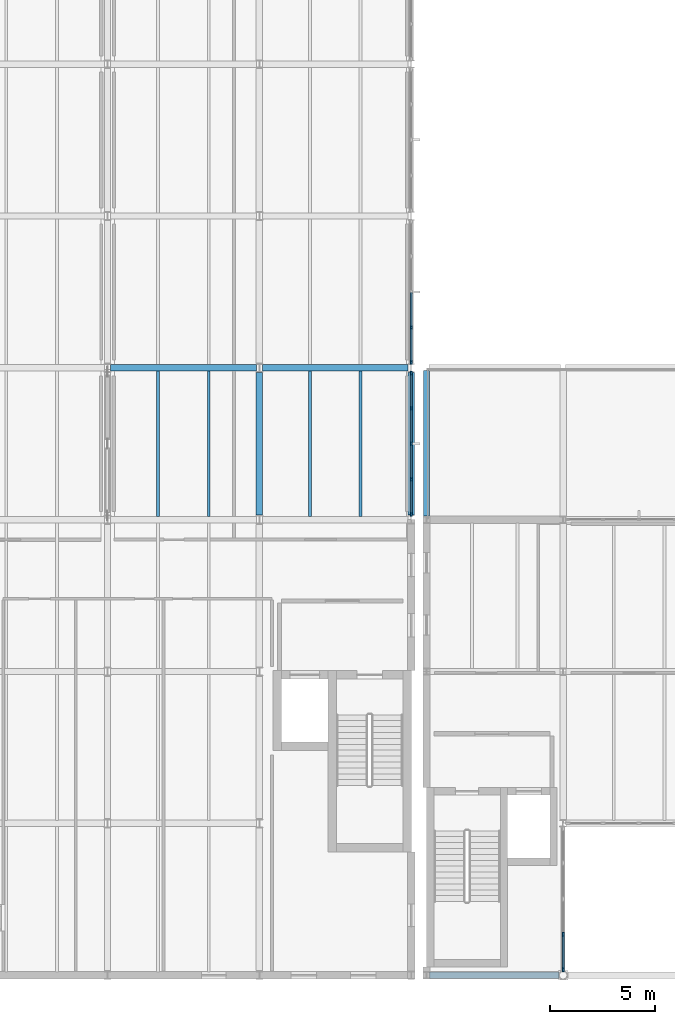
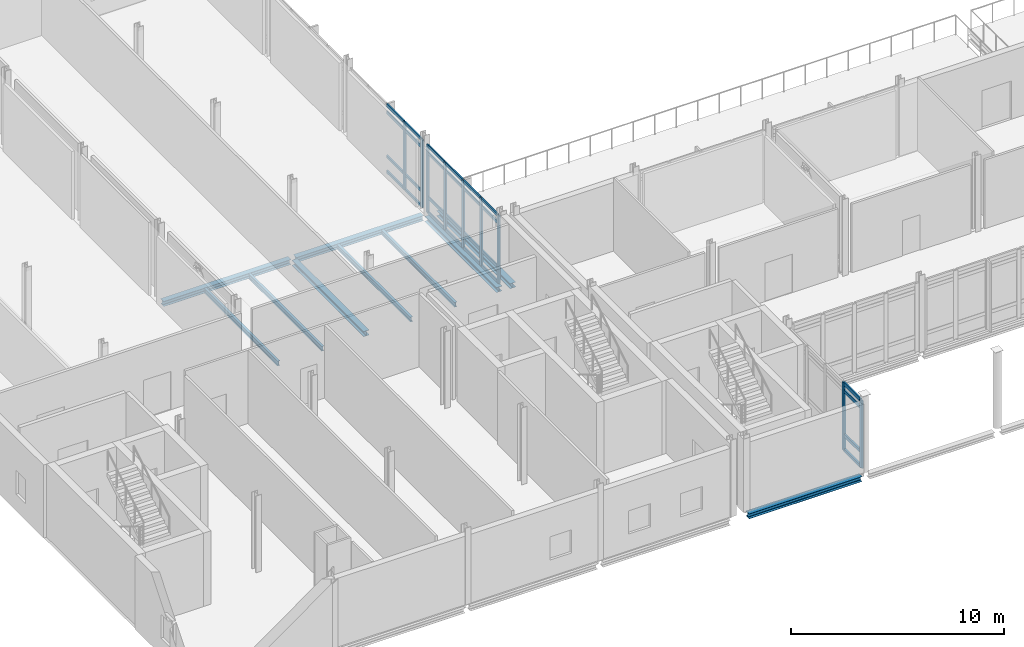
# One storey, part 8 of 53: 37 members, 10 beams, 3 elements without a shape of their own.
"""IFC4 building model written with IfcOpenShell, lengths in metres."""

from ifc_helpers import new_model, si_unit, direction, frame, origin, origin_2d, place, context, subcontext, project, spatial, rectangle, i_section, extrude, material, layer, layer_set, material_profile, profile_set, type_object, element, aggregate, save


model = new_model("IFC4")

# Units and contexts
model_context = context("Model", 3, precision=1e-05, world=origin(), true_north=direction((0.0, 1.0)))
body_context = subcontext(model_context, "Body", "Model", "MODEL_VIEW")
ifc_project = project(units=[si_unit("LENGTHUNIT", "METRE"), si_unit("AREAUNIT", "SQUARE_METRE"), si_unit("VOLUMEUNIT", "CUBIC_METRE"), si_unit("PLANEANGLEUNIT", "RADIAN"), si_unit("MASSUNIT", "GRAM", prefix="KILO")], contexts=[model_context])

# Site, building, storey
site_placement = place(None, origin())
site = spatial("IfcSite", under=ifc_project, at=site_placement, CompositionType="ELEMENT")
building_placement = place(site_placement, origin())
building = spatial("IfcBuilding", under=site, at=building_placement, Name="Zarrinpeak Specialist Clinic", CompositionType="ELEMENT")
storey_placement = place(building_placement, frame((0.0, 0.0, 14.0)))
storey = spatial("IfcBuildingStorey", under=building, at=storey_placement, Name="L03", CompositionType="ELEMENT", Elevation=14.0)

# Beams
ifc_material_1 = material(Name="Steel S355", Category="steel")
ifc_material_profile_1 = material_profile(ifc_material_1, i_section(OverallWidth=0.300048828125, OverallDepth=0.2900390625, WebThickness=0.008544921875, FlangeThickness=0.013916015625, FilletRadius=0.027099609375, at=origin_2d()), Name="HEA 300")
ifc_profile_set_1 = profile_set([ifc_material_profile_1], Name="Steel S355")
beam_type_1 = type_object("IfcBeamType", Name="BM-HEA300", PredefinedType="BEAM", material=ifc_profile_set_1)
beam_1_placement = place(storey_placement, frame((29.66796875, 0.0, -0.344970703125), z_axis=(1.0, 0.0, 0.0), x_axis=(0.0, 1.0, 0.0)))
element("IfcBeam", 1, at=beam_1_placement, inside=storey, type_object=beam_type_1, Name="L03 Primary Floor Girder BM-L03-X1490", PredefinedType="BEAM", context=body_context, shape_type="SweptSolid", body=[
    extrude(i_section(OverallWidth=0.300048828125, OverallDepth=0.2900390625, WebThickness=0.008544921875, FlangeThickness=0.013916015625, FilletRadius=0.027099609375, at=origin_2d()), origin(), (0.0, 0.0, 1.0), 6.130859375),
])
beam_2_placement = place(storey_placement, frame((14.548095703125, 28.800048828125, -0.344970703125), z_axis=(1.0, 0.0, 0.0), x_axis=(0.0, 1.0, 0.0)))
element("IfcBeam", 2, at=beam_2_placement, inside=storey, type_object=beam_type_1, Name="L03 Primary Floor Girder BM-L03-X1527", PredefinedType="BEAM", context=body_context, shape_type="SweptSolid", body=[
    extrude(i_section(OverallWidth=0.300048828125, OverallDepth=0.2900390625, WebThickness=0.008544921875, FlangeThickness=0.013916015625, FilletRadius=0.027099609375, at=origin_2d()), origin(), (0.0, 0.0, 1.0), 6.90380859375),
])
beam_3_placement = place(storey_placement, frame((21.748046875, 28.800048828125, -0.344970703125), z_axis=(1.0, 0.0, 0.0), x_axis=(0.0, 1.0, 0.0)))
element("IfcBeam", 3, at=beam_3_placement, inside=storey, type_object=beam_type_1, Name="L03 Primary Floor Girder BM-L03-X1528", PredefinedType="BEAM", context=body_context, shape_type="SweptSolid", body=[
    extrude(i_section(OverallWidth=0.300048828125, OverallDepth=0.2900390625, WebThickness=0.008544921875, FlangeThickness=0.013916015625, FilletRadius=0.027099609375, at=origin_2d()), origin(), (0.0, 0.0, 1.0), 6.904052734375),
])
for number, where, z_axis, x_axis, name in (
    (4, (21.60009765625, 21.822998046875, -0.344970703125), (0.0, 1.0, 0.0), (-1.0, 0.0, 0.0), "L03 Primary Beam BM-L03-Y1627"),
    (5, (28.800048828125, 21.822998046875, -0.344970703125), (0.0, 1.0, 0.0), (-1.0, 0.0, 0.0), "L03 Primary Beam BM-L03-Y1636"),
):
    element("IfcBeam", number, at=place(storey_placement, frame(where, z_axis=z_axis, x_axis=x_axis)), inside=storey, type_object=beam_type_1, Name=name, PredefinedType="BEAM", context=body_context, shape_type="SweptSolid", body=[
        extrude(i_section(OverallWidth=0.300048828125, OverallDepth=0.2900390625, WebThickness=0.008544921875, FlangeThickness=0.013916015625, FilletRadius=0.027099609375, at=origin_2d()), origin(), (0.0, 0.0, 1.0), 6.75390625),
    ])
beam_4_placement = place(storey_placement, frame((29.52001953125, 21.778076171875, -0.340087890625), z_axis=(0.0, 1.0, 0.0), x_axis=(-1.0, 0.0, 0.0)))
element("IfcBeam", 6, at=beam_4_placement, inside=storey, type_object=beam_type_1, Name="L03 Primary Beam BM-L03-Y1644", PredefinedType="BEAM", context=body_context, shape_type="SweptSolid", body=[
    extrude(i_section(OverallWidth=0.300048828125, OverallDepth=0.2900390625, WebThickness=0.008544921875, FlangeThickness=0.013916015625, FilletRadius=0.027099609375, at=origin_2d()), origin(), (0.0, 0.0, 1.0), 6.90380859375),
])
ifc_material_profile_2 = material_profile(ifc_material_1, i_section(OverallWidth=0.135009765625, OverallDepth=0.27001953125, WebThickness=0.006591796875, FlangeThickness=0.01025390625, FilletRadius=0.014892578125, at=origin_2d()), Name="IPE 270")
ifc_profile_set_2 = profile_set([ifc_material_profile_2], Name="Steel S355")
beam_type_2 = type_object("IfcBeamType", Name="BM-JST270", PredefinedType="JOIST", material=ifc_profile_set_2)
for number, where, z_axis, x_axis, name in (
    (7, (16.800048828125, 21.748046875, -0.3349609375), (0.0, 1.0, 0.0), (-1.0, 0.0, 0.0), "L03 Composite Floor Joist JST-L03-1721"),
    (8, (19.199951171875, 21.748046875, -0.3349609375), (0.0, 1.0, 0.0), (-1.0, 0.0, 0.0), "L03 Composite Floor Joist JST-L03-1722"),
    (9, (24.0, 21.748046875, -0.3349609375), (0.0, 1.0, 0.0), (-1.0, 0.0, 0.0), "L03 Composite Floor Joist JST-L03-1729"),
    (10, (26.39990234375, 21.748046875, -0.3349609375), (0.0, 1.0, 0.0), (-1.0, 0.0, 0.0), "L03 Composite Floor Joist JST-L03-1730"),
):
    element("IfcBeam", number, at=place(storey_placement, frame(where, z_axis=z_axis, x_axis=x_axis)), inside=storey, type_object=beam_type_2, Name=name, PredefinedType="JOIST", context=body_context, shape_type="SweptSolid", body=[
        extrude(i_section(OverallWidth=0.135009765625, OverallDepth=0.27001953125, WebThickness=0.006591796875, FlangeThickness=0.01025390625, FilletRadius=0.014892578125, at=origin_2d()), origin(), (0.0, 0.0, 1.0), 6.904052734375),
    ])

# Curtain wall, members
ifc_material_2 = material(Name="Anodised Aluminium Alloy 6063-T6", Category="aluminium")
ifc_layer_1 = layer(ifc_material_2, 0.179931640625)
ifc_layer_set_1 = layer_set([ifc_layer_1], Name="Anodised Aluminium Alloy 6063-T6")
curtain_wall_type_1 = type_object("IfcCurtainWallType", Name="CW-COURT", PredefinedType="NOTDEFINED", material=ifc_layer_set_1)
curtain_wall_1_placement = place(storey_placement, origin())
curtain_wall_1 = element("IfcCurtainWall", 11, at=curtain_wall_1_placement, inside=storey, type_object=curtain_wall_type_1, Name="L03 V1 Unitised Curtain Wall CW-L03-V1-021", PredefinedType="NOTDEFINED")
ifc_material_profile_3 = material_profile(ifc_material_2, rectangle(XDim=0.074951171875, YDim=0.179931640625, at=origin_2d()), Name="ALU 75x180")
ifc_profile_set_3 = profile_set([ifc_material_profile_3], Name="Anodised Aluminium Alloy 6063-T6")
member_type_1 = type_object("IfcMemberType", Name="CWM-75", PredefinedType="MULLION", material=ifc_profile_set_3)
member_1_placement = place(storey_placement, frame((28.800048828125, 21.862548828125, 0.0), z_axis=(0.0, 0.0, 1.0), x_axis=(-1.0, 0.0, 0.0)))
member_1 = element("IfcMember", 12, at=member_1_placement, type_object=member_type_1, Name="CW-01 mullion 1", PredefinedType="MULLION", context=body_context, shape_type="SweptSolid", body=[
    extrude(rectangle(XDim=0.074951171875, YDim=0.179931640625, at=origin_2d()), origin(), (0.0, 0.0, 1.0), 3.885009765625),
])
member_2_placement = place(storey_placement, frame((28.800048828125, 23.512451171875, 0.0), z_axis=(0.0, 0.0, 1.0), x_axis=(-1.0, 0.0, 0.0)))
member_2 = element("IfcMember", 13, at=member_2_placement, type_object=member_type_1, Name="CW-01 mullion 2", PredefinedType="MULLION", context=body_context, shape_type="SweptSolid", body=[
    extrude(rectangle(XDim=0.074951171875, YDim=0.179931640625, at=origin_2d()), origin(), (0.0, 0.0, 1.0), 3.885009765625),
])
member_3_placement = place(storey_placement, frame((28.800048828125, 25.199951171875, 0.0), z_axis=(0.0, 0.0, 1.0), x_axis=(-1.0, 0.0, 0.0)))
member_3 = element("IfcMember", 14, at=member_3_placement, type_object=member_type_1, Name="CW-01 mullion 3", PredefinedType="MULLION", context=body_context, shape_type="SweptSolid", body=[
    extrude(rectangle(XDim=0.074951171875, YDim=0.179931640625, at=origin_2d()), origin(), (0.0, 0.0, 1.0), 3.885009765625),
])
member_4_placement = place(storey_placement, frame((28.800048828125, 26.887451171875, 0.0), z_axis=(0.0, 0.0, 1.0), x_axis=(-1.0, 0.0, 0.0)))
member_4 = element("IfcMember", 15, at=member_4_placement, type_object=member_type_1, Name="CW-01 mullion 4", PredefinedType="MULLION", context=body_context, shape_type="SweptSolid", body=[
    extrude(rectangle(XDim=0.074951171875, YDim=0.179931640625, at=origin_2d()), origin(), (0.0, 0.0, 1.0), 3.885009765625),
])
member_5_placement = place(storey_placement, frame((28.800048828125, 28.53759765625, 0.0), z_axis=(0.0, 0.0, 1.0), x_axis=(-1.0, 0.0, 0.0)))
member_5 = element("IfcMember", 16, at=member_5_placement, type_object=member_type_1, Name="CW-01 mullion 5", PredefinedType="MULLION", context=body_context, shape_type="SweptSolid", body=[
    extrude(rectangle(XDim=0.074951171875, YDim=0.179931640625, at=origin_2d()), origin(), (0.0, 0.0, 1.0), 3.885009765625),
])

curtain_wall_2_placement = place(storey_placement, origin())
curtain_wall_2 = element("IfcCurtainWall", 17, at=curtain_wall_2_placement, inside=storey, type_object=curtain_wall_type_1, Name="L03 V1 Unitised Curtain Wall CW-L03-V1-022", PredefinedType="NOTDEFINED")
member_6_placement = place(storey_placement, frame((28.800048828125, 29.0625, 0.0), z_axis=(0.0, 0.0, 1.0), x_axis=(-1.0, 0.0, 0.0)))
member_6 = element("IfcMember", 18, at=member_6_placement, type_object=member_type_1, Name="CW-01 mullion 1", PredefinedType="MULLION", context=body_context, shape_type="SweptSolid", body=[
    extrude(rectangle(XDim=0.074951171875, YDim=0.179931640625, at=origin_2d()), origin(), (0.0, 0.0, 1.0), 3.885009765625),
])
member_7_placement = place(storey_placement, frame((28.800048828125, 30.71240234375, 0.0), z_axis=(0.0, 0.0, 1.0), x_axis=(-1.0, 0.0, 0.0)))
member_7 = element("IfcMember", 19, at=member_7_placement, type_object=member_type_1, Name="CW-01 mullion 2", PredefinedType="MULLION", context=body_context, shape_type="SweptSolid", body=[
    extrude(rectangle(XDim=0.074951171875, YDim=0.179931640625, at=origin_2d()), origin(), (0.0, 0.0, 1.0), 3.885009765625),
])

ifc_layer_2 = layer(ifc_material_2, 0.18994140625)
ifc_layer_set_2 = layer_set([ifc_layer_2], Name="Anodised Aluminium Alloy 6063-T6")
curtain_wall_type_2 = type_object("IfcCurtainWallType", Name="CW-LOGGIA", PredefinedType="NOTDEFINED", material=ifc_layer_set_2)
curtain_wall_3_placement = place(storey_placement, origin())
curtain_wall_3 = element("IfcCurtainWall", 20, at=curtain_wall_3_placement, inside=storey, type_object=curtain_wall_type_2, Name="L03 V2 Unitised Curtain Wall CW-L03-V2-059", PredefinedType="NOTDEFINED")
ifc_material_profile_4 = material_profile(ifc_material_2, rectangle(XDim=0.090087890625, YDim=0.219970703125, at=origin_2d()), Name="ALU 90x220")
ifc_profile_set_4 = profile_set([ifc_material_profile_4], Name="Anodised Aluminium Alloy 6063-T6")
member_type_2 = type_object("IfcMemberType", Name="CWM-90", PredefinedType="MULLION", material=ifc_profile_set_4)
member_8_placement = place(storey_placement, frame((36.0, 0.273193359375, 0.0), z_axis=(0.0, 0.0, 1.0), x_axis=(-1.0, 0.0, 0.0)))
member_8 = element("IfcMember", 21, at=member_8_placement, type_object=member_type_2, Name="CW-04 mullion 1", PredefinedType="MULLION", context=body_context, shape_type="SweptSolid", body=[
    extrude(rectangle(XDim=0.090087890625, YDim=0.219970703125, at=origin_2d()), origin(), (0.0, 0.0, 1.0), 3.885009765625),
])
member_9_placement = place(storey_placement, frame((36.0, 1.9248046875, 0.0), z_axis=(0.0, 0.0, 1.0), x_axis=(-1.0, 0.0, 0.0)))
member_9 = element("IfcMember", 22, at=member_9_placement, type_object=member_type_2, Name="CW-04 mullion 2", PredefinedType="MULLION", context=body_context, shape_type="SweptSolid", body=[
    extrude(rectangle(XDim=0.090087890625, YDim=0.219970703125, at=origin_2d()), origin(), (0.0, 0.0, 1.0), 3.885009765625),
])

# Member
ifc_material_profile_5 = material_profile(ifc_material_2, rectangle(XDim=0.074951171875, YDim=0.159912109375, at=origin_2d()), Name="ALU 75x160")
ifc_profile_set_5 = profile_set([ifc_material_profile_5], Name="Anodised Aluminium Alloy 6063-T6")
member_type_3 = type_object("IfcMemberType", Name="CWT-75", PredefinedType="USERDEFINED", material=ifc_profile_set_5)
member_10_placement = place(storey_placement, frame((28.800048828125, 21.89990234375, 0.03759765625), z_axis=(0.0, 1.0, 0.0), x_axis=(-1.0, 0.0, 0.0)))
member_10 = element("IfcMember", 23, at=member_10_placement, type_object=member_type_3, Name="CW-01 transom 1.1", ObjectType="TRANSOM", PredefinedType="USERDEFINED", context=body_context, shape_type="SweptSolid", body=[
    extrude(rectangle(XDim=0.074951171875, YDim=0.159912109375, at=origin_2d()), origin(), (0.0, 0.0, 1.0), 1.5751953125),
])

member_11_placement = place(storey_placement, frame((28.800048828125, 21.89990234375, 0.89990234375), z_axis=(0.0, 1.0, 0.0), x_axis=(-1.0, 0.0, 0.0)))
member_11 = element("IfcMember", 24, at=member_11_placement, type_object=member_type_3, Name="CW-01 transom 1.2", ObjectType="TRANSOM", PredefinedType="USERDEFINED", context=body_context, shape_type="SweptSolid", body=[
    extrude(rectangle(XDim=0.074951171875, YDim=0.159912109375, at=origin_2d()), origin(), (0.0, 0.0, 1.0), 1.5751953125),
])

member_12_placement = place(storey_placement, frame((28.800048828125, 21.89990234375, 3.43505859375), z_axis=(0.0, 1.0, 0.0), x_axis=(-1.0, 0.0, 0.0)))
member_12 = element("IfcMember", 25, at=member_12_placement, type_object=member_type_3, Name="CW-01 transom 1.3", ObjectType="TRANSOM", PredefinedType="USERDEFINED", context=body_context, shape_type="SweptSolid", body=[
    extrude(rectangle(XDim=0.074951171875, YDim=0.159912109375, at=origin_2d()), origin(), (0.0, 0.0, 1.0), 1.5751953125),
])

member_13_placement = place(storey_placement, frame((28.800048828125, 21.89990234375, 3.847412109375), z_axis=(0.0, 1.0, 0.0), x_axis=(-1.0, 0.0, 0.0)))
member_13 = element("IfcMember", 26, at=member_13_placement, type_object=member_type_3, Name="CW-01 transom 1.4", ObjectType="TRANSOM", PredefinedType="USERDEFINED", context=body_context, shape_type="SweptSolid", body=[
    extrude(rectangle(XDim=0.074951171875, YDim=0.159912109375, at=origin_2d()), origin(), (0.0, 0.0, 1.0), 1.5751953125),
])

member_14_placement = place(storey_placement, frame((28.800048828125, 23.550048828125, 0.03759765625), z_axis=(0.0, 1.0, 0.0), x_axis=(-1.0, 0.0, 0.0)))
member_14 = element("IfcMember", 27, at=member_14_placement, type_object=member_type_3, Name="CW-01 transom 2.1", ObjectType="TRANSOM", PredefinedType="USERDEFINED", context=body_context, shape_type="SweptSolid", body=[
    extrude(rectangle(XDim=0.074951171875, YDim=0.159912109375, at=origin_2d()), origin(), (0.0, 0.0, 1.0), 1.612548828125),
])

member_15_placement = place(storey_placement, frame((28.800048828125, 23.550048828125, 0.89990234375), z_axis=(0.0, 1.0, 0.0), x_axis=(-1.0, 0.0, 0.0)))
member_15 = element("IfcMember", 28, at=member_15_placement, type_object=member_type_3, Name="CW-01 transom 2.2", ObjectType="TRANSOM", PredefinedType="USERDEFINED", context=body_context, shape_type="SweptSolid", body=[
    extrude(rectangle(XDim=0.074951171875, YDim=0.159912109375, at=origin_2d()), origin(), (0.0, 0.0, 1.0), 1.612548828125),
])

member_16_placement = place(storey_placement, frame((28.800048828125, 23.550048828125, 3.43505859375), z_axis=(0.0, 1.0, 0.0), x_axis=(-1.0, 0.0, 0.0)))
member_16 = element("IfcMember", 29, at=member_16_placement, type_object=member_type_3, Name="CW-01 transom 2.3", ObjectType="TRANSOM", PredefinedType="USERDEFINED", context=body_context, shape_type="SweptSolid", body=[
    extrude(rectangle(XDim=0.074951171875, YDim=0.159912109375, at=origin_2d()), origin(), (0.0, 0.0, 1.0), 1.612548828125),
])

member_17_placement = place(storey_placement, frame((28.800048828125, 23.550048828125, 3.847412109375), z_axis=(0.0, 1.0, 0.0), x_axis=(-1.0, 0.0, 0.0)))
member_17 = element("IfcMember", 30, at=member_17_placement, type_object=member_type_3, Name="CW-01 transom 2.4", ObjectType="TRANSOM", PredefinedType="USERDEFINED", context=body_context, shape_type="SweptSolid", body=[
    extrude(rectangle(XDim=0.074951171875, YDim=0.159912109375, at=origin_2d()), origin(), (0.0, 0.0, 1.0), 1.612548828125),
])

member_18_placement = place(storey_placement, frame((28.800048828125, 25.237548828125, 0.03759765625), z_axis=(0.0, 1.0, 0.0), x_axis=(-1.0, 0.0, 0.0)))
member_18 = element("IfcMember", 31, at=member_18_placement, type_object=member_type_3, Name="CW-01 transom 3.1", ObjectType="TRANSOM", PredefinedType="USERDEFINED", context=body_context, shape_type="SweptSolid", body=[
    extrude(rectangle(XDim=0.074951171875, YDim=0.159912109375, at=origin_2d()), origin(), (0.0, 0.0, 1.0), 1.612548828125),
])

member_19_placement = place(storey_placement, frame((28.800048828125, 25.237548828125, 0.89990234375), z_axis=(0.0, 1.0, 0.0), x_axis=(-1.0, 0.0, 0.0)))
member_19 = element("IfcMember", 32, at=member_19_placement, type_object=member_type_3, Name="CW-01 transom 3.2", ObjectType="TRANSOM", PredefinedType="USERDEFINED", context=body_context, shape_type="SweptSolid", body=[
    extrude(rectangle(XDim=0.074951171875, YDim=0.159912109375, at=origin_2d()), origin(), (0.0, 0.0, 1.0), 1.612548828125),
])

member_20_placement = place(storey_placement, frame((28.800048828125, 25.237548828125, 3.43505859375), z_axis=(0.0, 1.0, 0.0), x_axis=(-1.0, 0.0, 0.0)))
member_20 = element("IfcMember", 33, at=member_20_placement, type_object=member_type_3, Name="CW-01 transom 3.3", ObjectType="TRANSOM", PredefinedType="USERDEFINED", context=body_context, shape_type="SweptSolid", body=[
    extrude(rectangle(XDim=0.074951171875, YDim=0.159912109375, at=origin_2d()), origin(), (0.0, 0.0, 1.0), 1.612548828125),
])

member_21_placement = place(storey_placement, frame((28.800048828125, 25.237548828125, 3.847412109375), z_axis=(0.0, 1.0, 0.0), x_axis=(-1.0, 0.0, 0.0)))
member_21 = element("IfcMember", 34, at=member_21_placement, type_object=member_type_3, Name="CW-01 transom 3.4", ObjectType="TRANSOM", PredefinedType="USERDEFINED", context=body_context, shape_type="SweptSolid", body=[
    extrude(rectangle(XDim=0.074951171875, YDim=0.159912109375, at=origin_2d()), origin(), (0.0, 0.0, 1.0), 1.612548828125),
])

member_22_placement = place(storey_placement, frame((28.800048828125, 26.925048828125, 0.03759765625), z_axis=(0.0, 1.0, 0.0), x_axis=(-1.0, 0.0, 0.0)))
member_22 = element("IfcMember", 35, at=member_22_placement, type_object=member_type_3, Name="CW-01 transom 4.1", ObjectType="TRANSOM", PredefinedType="USERDEFINED", context=body_context, shape_type="SweptSolid", body=[
    extrude(rectangle(XDim=0.074951171875, YDim=0.159912109375, at=origin_2d()), origin(), (0.0, 0.0, 1.0), 1.574951171875),
])

member_23_placement = place(storey_placement, frame((28.800048828125, 26.925048828125, 0.89990234375), z_axis=(0.0, 1.0, 0.0), x_axis=(-1.0, 0.0, 0.0)))
member_23 = element("IfcMember", 36, at=member_23_placement, type_object=member_type_3, Name="CW-01 transom 4.2", ObjectType="TRANSOM", PredefinedType="USERDEFINED", context=body_context, shape_type="SweptSolid", body=[
    extrude(rectangle(XDim=0.074951171875, YDim=0.159912109375, at=origin_2d()), origin(), (0.0, 0.0, 1.0), 1.574951171875),
])

member_24_placement = place(storey_placement, frame((28.800048828125, 26.925048828125, 3.43505859375), z_axis=(0.0, 1.0, 0.0), x_axis=(-1.0, 0.0, 0.0)))
member_24 = element("IfcMember", 37, at=member_24_placement, type_object=member_type_3, Name="CW-01 transom 4.3", ObjectType="TRANSOM", PredefinedType="USERDEFINED", context=body_context, shape_type="SweptSolid", body=[
    extrude(rectangle(XDim=0.074951171875, YDim=0.159912109375, at=origin_2d()), origin(), (0.0, 0.0, 1.0), 1.574951171875),
])

member_25_placement = place(storey_placement, frame((28.800048828125, 26.925048828125, 3.847412109375), z_axis=(0.0, 1.0, 0.0), x_axis=(-1.0, 0.0, 0.0)))
member_25 = element("IfcMember", 38, at=member_25_placement, type_object=member_type_3, Name="CW-01 transom 4.4", ObjectType="TRANSOM", PredefinedType="USERDEFINED", context=body_context, shape_type="SweptSolid", body=[
    extrude(rectangle(XDim=0.074951171875, YDim=0.159912109375, at=origin_2d()), origin(), (0.0, 0.0, 1.0), 1.574951171875),
])

aggregate(curtain_wall_1, [member_1, member_2, member_3, member_4, member_5, member_10, member_11, member_12, member_13, member_14, member_15, member_16, member_17, member_18, member_19, member_20, member_21, member_22, member_23, member_24, member_25])

member_26_placement = place(storey_placement, frame((28.800048828125, 29.10009765625, 0.03759765625), z_axis=(0.0, 1.0, 0.0), x_axis=(-1.0, 0.0, 0.0)))
member_26 = element("IfcMember", 39, at=member_26_placement, type_object=member_type_3, Name="CW-01 transom 1.1", ObjectType="TRANSOM", PredefinedType="USERDEFINED", context=body_context, shape_type="SweptSolid", body=[
    extrude(rectangle(XDim=0.074951171875, YDim=0.159912109375, at=origin_2d()), origin(), (0.0, 0.0, 1.0), 1.574951171875),
])

member_27_placement = place(storey_placement, frame((28.800048828125, 29.10009765625, 0.89990234375), z_axis=(0.0, 1.0, 0.0), x_axis=(-1.0, 0.0, 0.0)))
member_27 = element("IfcMember", 40, at=member_27_placement, type_object=member_type_3, Name="CW-01 transom 1.2", ObjectType="TRANSOM", PredefinedType="USERDEFINED", context=body_context, shape_type="SweptSolid", body=[
    extrude(rectangle(XDim=0.074951171875, YDim=0.159912109375, at=origin_2d()), origin(), (0.0, 0.0, 1.0), 1.574951171875),
])

member_28_placement = place(storey_placement, frame((28.800048828125, 29.10009765625, 3.43505859375), z_axis=(0.0, 1.0, 0.0), x_axis=(-1.0, 0.0, 0.0)))
member_28 = element("IfcMember", 41, at=member_28_placement, type_object=member_type_3, Name="CW-01 transom 1.3", ObjectType="TRANSOM", PredefinedType="USERDEFINED", context=body_context, shape_type="SweptSolid", body=[
    extrude(rectangle(XDim=0.074951171875, YDim=0.159912109375, at=origin_2d()), origin(), (0.0, 0.0, 1.0), 1.574951171875),
])

member_29_placement = place(storey_placement, frame((28.800048828125, 29.10009765625, 3.847412109375), z_axis=(0.0, 1.0, 0.0), x_axis=(-1.0, 0.0, 0.0)))
member_29 = element("IfcMember", 42, at=member_29_placement, type_object=member_type_3, Name="CW-01 transom 1.4", ObjectType="TRANSOM", PredefinedType="USERDEFINED", context=body_context, shape_type="SweptSolid", body=[
    extrude(rectangle(XDim=0.074951171875, YDim=0.159912109375, at=origin_2d()), origin(), (0.0, 0.0, 1.0), 1.574951171875),
])

member_30_placement = place(storey_placement, frame((28.800048828125, 30.75, 0.03759765625), z_axis=(0.0, 1.0, 0.0), x_axis=(-1.0, 0.0, 0.0)))
member_30 = element("IfcMember", 43, at=member_30_placement, type_object=member_type_3, Name="CW-01 transom 2.1", ObjectType="TRANSOM", PredefinedType="USERDEFINED", context=body_context, shape_type="SweptSolid", body=[
    extrude(rectangle(XDim=0.074951171875, YDim=0.159912109375, at=origin_2d()), origin(), (0.0, 0.0, 1.0), 1.612548828125),
])

member_31_placement = place(storey_placement, frame((28.800048828125, 30.75, 0.89990234375), z_axis=(0.0, 1.0, 0.0), x_axis=(-1.0, 0.0, 0.0)))
member_31 = element("IfcMember", 44, at=member_31_placement, type_object=member_type_3, Name="CW-01 transom 2.2", ObjectType="TRANSOM", PredefinedType="USERDEFINED", context=body_context, shape_type="SweptSolid", body=[
    extrude(rectangle(XDim=0.074951171875, YDim=0.159912109375, at=origin_2d()), origin(), (0.0, 0.0, 1.0), 1.612548828125),
])

member_32_placement = place(storey_placement, frame((28.800048828125, 30.75, 3.43505859375), z_axis=(0.0, 1.0, 0.0), x_axis=(-1.0, 0.0, 0.0)))
member_32 = element("IfcMember", 45, at=member_32_placement, type_object=member_type_3, Name="CW-01 transom 2.3", ObjectType="TRANSOM", PredefinedType="USERDEFINED", context=body_context, shape_type="SweptSolid", body=[
    extrude(rectangle(XDim=0.074951171875, YDim=0.159912109375, at=origin_2d()), origin(), (0.0, 0.0, 1.0), 1.612548828125),
])

member_33_placement = place(storey_placement, frame((28.800048828125, 30.75, 3.847412109375), z_axis=(0.0, 1.0, 0.0), x_axis=(-1.0, 0.0, 0.0)))
member_33 = element("IfcMember", 46, at=member_33_placement, type_object=member_type_3, Name="CW-01 transom 2.4", ObjectType="TRANSOM", PredefinedType="USERDEFINED", context=body_context, shape_type="SweptSolid", body=[
    extrude(rectangle(XDim=0.074951171875, YDim=0.159912109375, at=origin_2d()), origin(), (0.0, 0.0, 1.0), 1.612548828125),
])

aggregate(curtain_wall_2, [member_6, member_7, member_26, member_27, member_28, member_29, member_30, member_31, member_32, member_33])

ifc_material_profile_6 = material_profile(ifc_material_2, rectangle(XDim=0.090087890625, YDim=0.18994140625, at=origin_2d()), Name="ALU 90x190")
ifc_profile_set_6 = profile_set([ifc_material_profile_6], Name="Anodised Aluminium Alloy 6063-T6")
member_type_4 = type_object("IfcMemberType", Name="CWT-90", PredefinedType="USERDEFINED", material=ifc_profile_set_6)
member_34_placement = place(storey_placement, frame((36.0, 0.318115234375, 0.044921875), z_axis=(0.0, 1.0, 0.0), x_axis=(-1.0, 0.0, 0.0)))
member_34 = element("IfcMember", 47, at=member_34_placement, type_object=member_type_4, Name="CW-04 transom 1.1", ObjectType="TRANSOM", PredefinedType="USERDEFINED", context=body_context, shape_type="SweptSolid", body=[
    extrude(rectangle(XDim=0.090087890625, YDim=0.18994140625, at=origin_2d()), origin(), (0.0, 0.0, 1.0), 1.561767578125),
])

member_35_placement = place(storey_placement, frame((36.0, 0.318115234375, 0.89990234375), z_axis=(0.0, 1.0, 0.0), x_axis=(-1.0, 0.0, 0.0)))
member_35 = element("IfcMember", 48, at=member_35_placement, type_object=member_type_4, Name="CW-04 transom 1.2", ObjectType="TRANSOM", PredefinedType="USERDEFINED", context=body_context, shape_type="SweptSolid", body=[
    extrude(rectangle(XDim=0.090087890625, YDim=0.18994140625, at=origin_2d()), origin(), (0.0, 0.0, 1.0), 1.561767578125),
])

member_36_placement = place(storey_placement, frame((36.0, 0.318115234375, 3.43505859375), z_axis=(0.0, 1.0, 0.0), x_axis=(-1.0, 0.0, 0.0)))
member_36 = element("IfcMember", 49, at=member_36_placement, type_object=member_type_4, Name="CW-04 transom 1.3", ObjectType="TRANSOM", PredefinedType="USERDEFINED", context=body_context, shape_type="SweptSolid", body=[
    extrude(rectangle(XDim=0.090087890625, YDim=0.18994140625, at=origin_2d()), origin(), (0.0, 0.0, 1.0), 1.561767578125),
])

member_37_placement = place(storey_placement, frame((36.0, 0.318115234375, 3.840087890625), z_axis=(0.0, 1.0, 0.0), x_axis=(-1.0, 0.0, 0.0)))
member_37 = element("IfcMember", 50, at=member_37_placement, type_object=member_type_4, Name="CW-04 transom 1.4", ObjectType="TRANSOM", PredefinedType="USERDEFINED", context=body_context, shape_type="SweptSolid", body=[
    extrude(rectangle(XDim=0.090087890625, YDim=0.18994140625, at=origin_2d()), origin(), (0.0, 0.0, 1.0), 1.561767578125),
])

aggregate(curtain_wall_3, [member_8, member_9, member_34, member_35, member_36, member_37])

save(model, "model.ifc")
